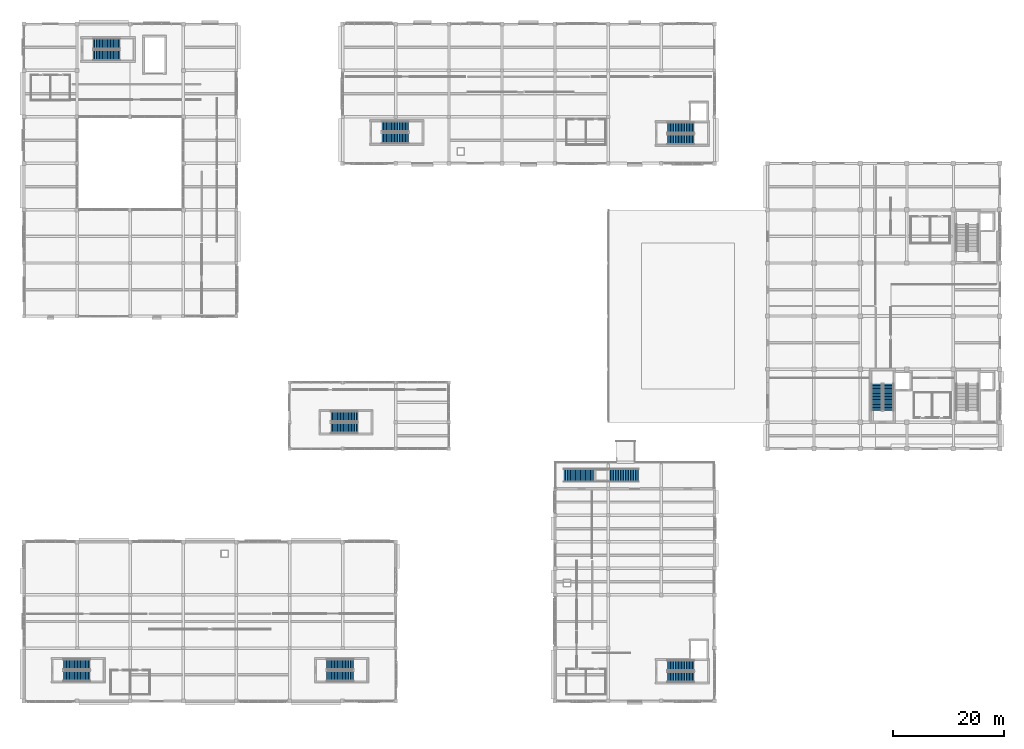
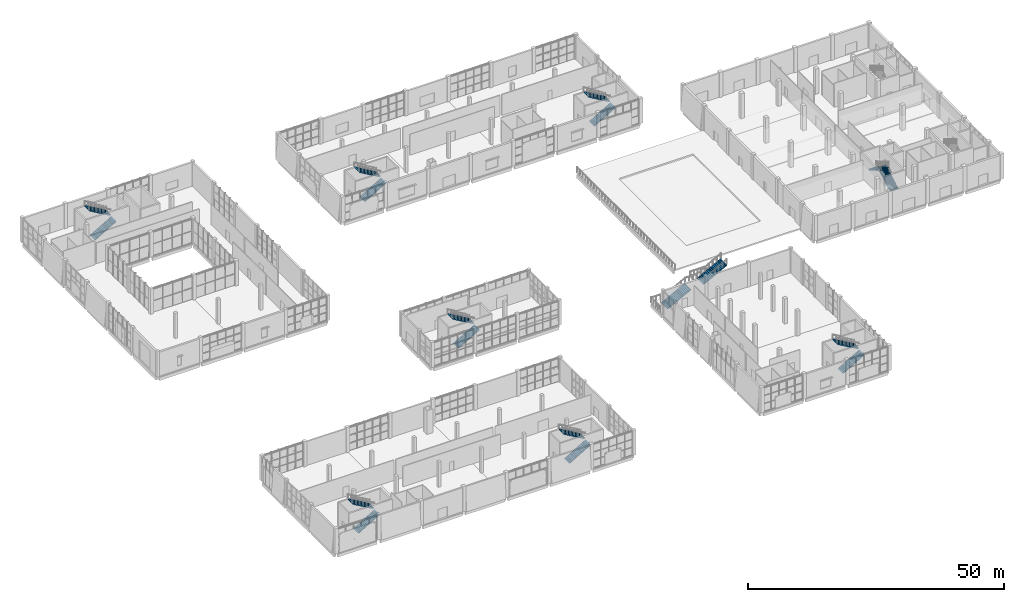
# One storey, part 62 of 84: 18 stair flights, 9 elements without a shape of their own.
"""IFC4 building model written with IfcOpenShell, lengths in metres."""

import ifcopenshell
import ifcopenshell.guid

model = None  # the IFC model being written
_history = None  # IfcOwnerHistory: only IFC2X3 demands one
_inside = {}  # id of a spatial element -> (the spatial element, [elements in it])
_under = {}  # id of a project, library or spatial element -> (it, [spatial elements below it])
_declared = {}  # id of a project -> (the project, [libraries it declares])
_typed = {}  # id of a type object -> (the type object, [elements of that type])
_made_of = {}  # id of a material, layer set ... -> (it, [elements and type objects made of it])


def new_model(schema):
    """Start an empty IFC model of exactly this schema.

    Asked for "IFC4X3", IfcOpenShell would pick the latest addendum, in which some entities
    have other attributes; the version numbers below select the first issue.
    IFC2X3 requires an IfcOwnerHistory on every rooted entity: one is made here for all.
    """
    global model, _history
    if schema == "IFC4X3":
        model = ifcopenshell.file(schema_version=(4, 3, 0, 0))
    else:
        model = ifcopenshell.file(schema=schema)
    _inside.clear()
    _under.clear()
    _declared.clear()
    _typed.clear()
    _made_of.clear()
    _history = None
    if model.schema == "IFC2X3":
        org = make("IfcOrganization", Name="unknown")
        user = make(
            "IfcPersonAndOrganization",
            ThePerson=make("IfcPerson", FamilyName="unknown"),
            TheOrganization=org,
        )
        app = make(
            "IfcApplication",
            ApplicationDeveloper=org,
            Version="unknown",
            ApplicationFullName="unknown",
            ApplicationIdentifier="unknown",
        )
        _history = make(
            "IfcOwnerHistory",
            OwningUser=user,
            OwningApplication=app,
            ChangeAction="ADDED",
            CreationDate=0,
        )
    return model


def make(cls, **values):
    """One entity of the class cls with the attributes given. An attribute that is None is left unset."""
    return model.create_entity(
        cls, **{name: value for name, value in values.items() if value is not None}
    )


def rooted(cls, **values):
    """An entity with a GlobalId (a new one), such as an element, a storey or a relation."""
    return make(cls, GlobalId=ifcopenshell.guid.new(), OwnerHistory=_history, **values)


def si_unit(unit_type, name, prefix=None):
    """IfcSIUnit, for example si_unit("LENGTHUNIT", "METRE", prefix="MILLI")."""
    return make("IfcSIUnit", UnitType=unit_type, Prefix=prefix, Name=name)


def assignment(units):
    """IfcUnitAssignment: the units of a project."""
    return None if units is None else make("IfcUnitAssignment", Units=units)


def point(xyz):
    """IfcCartesianPoint."""
    return None if xyz is None else make("IfcCartesianPoint", Coordinates=xyz)


def direction(xyz):
    """IfcDirection."""
    return None if xyz is None else make("IfcDirection", DirectionRatios=xyz)


def frame(location, z_axis=None, x_axis=None):
    """IfcAxis2Placement3D, a coordinate frame: its origin and axes. An axis left out is left unset."""
    return make(
        "IfcAxis2Placement3D",
        Location=point(location),
        Axis=direction(z_axis),
        RefDirection=direction(x_axis),
    )


def origin():
    """The frame at (0, 0, 0) with its axes left unset."""
    return frame((0.0, 0.0, 0.0))


def place(relative_to, where):
    """IfcLocalPlacement: puts the frame where relative to a parent placement (None: the world)."""
    return make(
        "IfcLocalPlacement", PlacementRelTo=relative_to, RelativePlacement=where
    )


def context(
    kind, dimensions, precision=None, world=None, true_north=None, identifier=None
):
    """IfcGeometricRepresentationContext, for example the 3D "Model" context."""
    return make(
        "IfcGeometricRepresentationContext",
        ContextIdentifier=identifier,
        ContextType=kind,
        CoordinateSpaceDimension=dimensions,
        Precision=precision,
        WorldCoordinateSystem=world,
        TrueNorth=true_north,
    )


def subcontext(parent, identifier, kind, view, scale=None):
    """IfcGeometricRepresentationSubContext, for example "Body" below "Model"."""
    return make(
        "IfcGeometricRepresentationSubContext",
        ContextIdentifier=identifier,
        ContextType=kind,
        ParentContext=parent,
        TargetScale=scale,
        TargetView=view,
    )


def project(units=None, contexts=None):
    """IfcProject with its units and contexts."""
    return rooted(
        "IfcProject",
        Name="project",
        RepresentationContexts=contexts,
        UnitsInContext=assignment(units),
    )


def spatial(cls, under=None, at=None, **own):
    """A site, building, storey or space (cls), placed at a placement, below another one or the project."""
    s = rooted(cls, ObjectPlacement=at, **own)
    if under is not None:
        _under.setdefault(under.id(), (under, []))[1].append(s)
    return s


def polyline(points):
    """IfcPolyline through the points."""
    return make("IfcPolyline", Points=[point(p) for p in points])


def outline(outer, holes=None, kind="AREA"):
    """IfcArbitraryClosedProfileDef: a profile drawn as a closed curve; with holes, ...WithVoids."""
    if holes is None:
        return make("IfcArbitraryClosedProfileDef", ProfileType=kind, OuterCurve=outer)
    return make(
        "IfcArbitraryProfileDefWithVoids",
        ProfileType=kind,
        OuterCurve=outer,
        InnerCurves=holes,
    )


def extrude(swept, where, along, depth):
    """IfcExtrudedAreaSolid: the profile swept, set in the frame where, extruded along a direction by depth."""
    return make(
        "IfcExtrudedAreaSolid",
        SweptArea=swept,
        Position=where,
        ExtrudedDirection=direction(along),
        Depth=depth,
    )


def shape(context_of_items, identifier, shape_type, items):
    """IfcShapeRepresentation: the items that make up one representation, for example the "Body"."""
    return make(
        "IfcShapeRepresentation",
        ContextOfItems=context_of_items,
        RepresentationIdentifier=identifier,
        RepresentationType=shape_type,
        Items=items,
    )


def material(Name=None, Category=None):
    """IfcMaterial."""
    return make("IfcMaterial", Name=Name, Category=Category)


def made_of(thing, what):
    """Note that an element or type object is made of a material, layer set ...; save() writes the relation."""
    if what is not None:
        _made_of.setdefault(what.id(), (what, []))[1].append(thing)
    return thing


def type_object(cls, material=None, **own):
    """A type object (cls), such as IfcWallType, which elements share."""
    return made_of(rooted(cls, **own), material)


def element(
    cls,
    number,
    at=None,
    inside=None,
    cuts=None,
    type_object=None,
    material=None,
    context=None,
    identifier="Body",
    shape_type=None,
    held_by="IfcProductDefinitionShape",
    body=None,
    shapes=None,
    **own,
):
    """One element of the class cls, such as IfcWall. Its Tag is "e" and its number.

    at: its placement. inside: the storey or other place that contains it. cuts: it is an
    opening in that element (IfcRelVoidsElement). A single representation is given by context,
    identifier, shape_type and body (its items); several are given by shapes. held_by: the class
    of the entity that holds the representations. save() writes the other relations.
    """
    e = rooted(cls, Tag="e%d" % number, ObjectPlacement=at, **own)
    if body is not None:
        shapes = [shape(context, identifier, shape_type, body)]
    if shapes is not None:
        e.Representation = make(held_by, Representations=shapes)
    if inside is not None:
        _inside.setdefault(inside.id(), (inside, []))[1].append(e)
    if cuts is not None:
        rooted(
            "IfcRelVoidsElement", RelatingBuildingElement=cuts, RelatedOpeningElement=e
        )
    if type_object is not None:
        _typed.setdefault(type_object.id(), (type_object, []))[1].append(e)
    return made_of(e, material)


def aggregate(whole, parts):
    """IfcRelAggregates: a whole, such as a stair, and the parts it consists of."""
    return rooted("IfcRelAggregates", RelatingObject=whole, RelatedObjects=parts)


def save(model, path):
    """Write the relations noted so far, then the file.

    IfcRelAggregates (storeys below a building ...), IfcRelContainedInSpatialStructure (elements
    in a storey), IfcRelDefinesByType, IfcRelAssociatesMaterial and IfcRelDeclares: one each for
    every whole, place, type object, material and project.
    """
    for whole, parts in _under.values():
        aggregate(whole, parts)
    for where, things in _inside.values():
        rooted(
            "IfcRelContainedInSpatialStructure",
            RelatedElements=things,
            RelatingStructure=where,
        )
    for kind, things in _typed.values():
        rooted("IfcRelDefinesByType", RelatedObjects=things, RelatingType=kind)
    for what, things in _made_of.values():
        rooted("IfcRelAssociatesMaterial", RelatedObjects=things, RelatingMaterial=what)
    for by, libraries in _declared.values():
        rooted("IfcRelDeclares", RelatingContext=by, RelatedDefinitions=libraries)
    model.write(path)


model = new_model("IFC4")

# Units and contexts
model_context = context("Model", 3, precision=1e-05, world=origin(), true_north=direction((0.0, 1.0)))
body_context = subcontext(model_context, "Body", "Model", "MODEL_VIEW")
ifc_project = project(units=[si_unit("LENGTHUNIT", "METRE"), si_unit("AREAUNIT", "SQUARE_METRE"), si_unit("VOLUMEUNIT", "CUBIC_METRE"), si_unit("PLANEANGLEUNIT", "RADIAN"), si_unit("MASSUNIT", "GRAM", prefix="KILO")], contexts=[model_context])

# Site, building, storey
site_placement = place(None, origin())
site = spatial("IfcSite", under=ifc_project, at=site_placement, CompositionType="ELEMENT")
building_placement = place(site_placement, origin())
building = spatial("IfcBuilding", under=site, at=building_placement, Name="Shalvenor Court Art Gallery", CompositionType="ELEMENT")
storey_placement = place(building_placement, origin())
storey = spatial("IfcBuildingStorey", under=building, at=storey_placement, Name="L00", CompositionType="ELEMENT", Elevation=0.0)

# Stair, stair flights
ifc_material_1 = material(Name="Concrete C40/50", Category="concrete")
stair_type_1 = type_object("IfcStairType", Name="ST-DL-36R-1900", PredefinedType="HALF_TURN_STAIR", material=ifc_material_1)
stair_1_placement = place(storey_placement, origin())
stair_1 = element("IfcStair", 1, at=stair_1_placement, inside=storey, type_object=stair_type_1, Name="L00 Core Dogleg Stair ST-03", PredefinedType="HALF_TURN_STAIR")
ifc_material_2 = material(Name="Concrete C40/50", Category="concrete")
stair_flight_type_1 = type_object("IfcStairFlightType", Name="FL-DL-18R-1900", PredefinedType="STRAIGHT", material=ifc_material_2)
stair_flight_1_placement = place(storey_placement, frame((156.25, 52.5, 0.0), z_axis=(0.0, 0.0, 1.0), x_axis=(0.0, 1.0, 0.0)))
stair_flight_1 = element("IfcStairFlight", 2, at=stair_flight_1_placement, type_object=stair_flight_type_1, Name="ST-DL-36R-1900 flight 1", NumberOfRisers=18, NumberOfTreads=17, PredefinedType="STRAIGHT", RiserHeight=0.166666667, TreadLength=0.285, context=body_context, shape_type="SweptSolid", body=[
    extrude(outline(polyline([(0.0, 0.0), (0.0, 0.166748046875), (0.284912109375, 0.166748046875), (0.284912109375, 0.333251953125), (0.570068359375, 0.333251953125), (0.570068359375, 0.5), (0.85498046875, 0.5), (0.85498046875, 0.666748046875), (1.139892578125, 0.666748046875), (1.139892578125, 0.833251953125), (1.425048828125, 0.833251953125), (1.425048828125, 1.0), (1.7099609375, 1.0), (1.7099609375, 1.166748046875), (1.9951171875, 1.166748046875), (1.9951171875, 1.333251953125), (2.280029296875, 1.333251953125), (2.280029296875, 1.5), (2.56494140625, 1.5), (2.56494140625, 1.666748046875), (2.85009765625, 1.666748046875), (2.85009765625, 1.833251953125), (3.135009765625, 1.833251953125), (3.135009765625, 2.0), (3.419921875, 2.0), (3.419921875, 2.166748046875), (3.705078125, 2.166748046875), (3.705078125, 2.333251953125), (3.989990234375, 2.333251953125), (3.989990234375, 2.5), (4.27490234375, 2.5), (4.27490234375, 2.666748046875), (4.56005859375, 2.666748046875), (4.56005859375, 2.833251953125), (4.844970703125, 2.833251953125), (4.844970703125, 3.0), (4.844970703125, 2.625), (0.3564453125, 0.0), (0.0, 0.0)])), frame((0.0, 0.949951171875, 0.0), z_axis=(0.0, -1.0, 0.0), x_axis=(1.0, 0.0, 0.0)), (0.0, 0.0, 1.0), 1.89990234375),
])
stair_flight_2_placement = place(storey_placement, frame((154.14990234375, 57.344970703125, 3.0), z_axis=(0.0, 0.0, 1.0), x_axis=(0.0, -1.0, 0.0)))
stair_flight_2 = element("IfcStairFlight", 3, at=stair_flight_2_placement, type_object=stair_flight_type_1, Name="ST-DL-36R-1900 flight 2", NumberOfRisers=18, NumberOfTreads=17, PredefinedType="STRAIGHT", RiserHeight=0.166666667, TreadLength=0.285, context=body_context, shape_type="SweptSolid", body=[
    extrude(outline(polyline([(0.0, 0.0), (0.0, 0.166748046875), (0.284912109375, 0.166748046875), (0.284912109375, 0.333251953125), (0.570068359375, 0.333251953125), (0.570068359375, 0.5), (0.85498046875, 0.5), (0.85498046875, 0.666748046875), (1.139892578125, 0.666748046875), (1.139892578125, 0.833251953125), (1.425048828125, 0.833251953125), (1.425048828125, 1.0), (1.7099609375, 1.0), (1.7099609375, 1.166748046875), (1.9951171875, 1.166748046875), (1.9951171875, 1.333251953125), (2.280029296875, 1.333251953125), (2.280029296875, 1.5), (2.56494140625, 1.5), (2.56494140625, 1.666748046875), (2.85009765625, 1.666748046875), (2.85009765625, 1.833251953125), (3.135009765625, 1.833251953125), (3.135009765625, 2.0), (3.419921875, 2.0), (3.419921875, 2.166748046875), (3.705078125, 2.166748046875), (3.705078125, 2.333251953125), (3.989990234375, 2.333251953125), (3.989990234375, 2.5), (4.27490234375, 2.5), (4.27490234375, 2.666748046875), (4.56005859375, 2.666748046875), (4.56005859375, 2.833251953125), (4.844970703125, 2.833251953125), (4.844970703125, 3.0), (4.844970703125, 2.625), (0.3564453125, 0.0), (0.0, 0.0)])), frame((0.0, 0.949951171875, 0.0), z_axis=(0.0, -1.0, 0.0), x_axis=(1.0, 0.0, 0.0)), (0.0, 0.0, 1.0), 1.89990234375),
])
aggregate(stair_1, [stair_flight_1, stair_flight_2])

stair_2_placement = place(storey_placement, origin())
stair_2 = element("IfcStair", 4, at=stair_2_placement, inside=storey, type_object=stair_type_1, Name="L00 Core Dogleg Stair ST-04", PredefinedType="HALF_TURN_STAIR")
stair_flight_3_placement = place(storey_placement, frame((116.300048828125, 4.35009765625, 0.0), z_axis=(0.0, 0.0, 1.0), x_axis=(1.0, 0.0, 0.0)))
stair_flight_3 = element("IfcStairFlight", 5, at=stair_flight_3_placement, type_object=stair_flight_type_1, Name="ST-DL-36R-1900 flight 1", NumberOfRisers=18, NumberOfTreads=17, PredefinedType="STRAIGHT", RiserHeight=0.166666667, TreadLength=0.285, context=body_context, shape_type="SweptSolid", body=[
    extrude(outline(polyline([(0.0, 0.0), (0.0, 0.166748046875), (0.284912109375, 0.166748046875), (0.284912109375, 0.333251953125), (0.570068359375, 0.333251953125), (0.570068359375, 0.5), (0.85498046875, 0.5), (0.85498046875, 0.666748046875), (1.139892578125, 0.666748046875), (1.139892578125, 0.833251953125), (1.425048828125, 0.833251953125), (1.425048828125, 1.0), (1.7099609375, 1.0), (1.7099609375, 1.166748046875), (1.9951171875, 1.166748046875), (1.9951171875, 1.333251953125), (2.280029296875, 1.333251953125), (2.280029296875, 1.5), (2.56494140625, 1.5), (2.56494140625, 1.666748046875), (2.85009765625, 1.666748046875), (2.85009765625, 1.833251953125), (3.135009765625, 1.833251953125), (3.135009765625, 2.0), (3.419921875, 2.0), (3.419921875, 2.166748046875), (3.705078125, 2.166748046875), (3.705078125, 2.333251953125), (3.989990234375, 2.333251953125), (3.989990234375, 2.5), (4.27490234375, 2.5), (4.27490234375, 2.666748046875), (4.56005859375, 2.666748046875), (4.56005859375, 2.833251953125), (4.844970703125, 2.833251953125), (4.844970703125, 3.0), (4.844970703125, 2.625), (0.3564453125, 0.0), (0.0, 0.0)])), frame((0.0, 0.949951171875, 0.0), z_axis=(0.0, -1.0, 0.0), x_axis=(1.0, 0.0, 0.0)), (0.0, 0.0, 1.0), 1.89990234375),
])
stair_flight_4_placement = place(storey_placement, frame((121.14501953125, 6.449951171875, 3.0), z_axis=(0.0, 0.0, 1.0), x_axis=(-1.0, 0.0, 0.0)))
stair_flight_4 = element("IfcStairFlight", 6, at=stair_flight_4_placement, type_object=stair_flight_type_1, Name="ST-DL-36R-1900 flight 2", NumberOfRisers=18, NumberOfTreads=17, PredefinedType="STRAIGHT", RiserHeight=0.166666667, TreadLength=0.285, context=body_context, shape_type="SweptSolid", body=[
    extrude(outline(polyline([(0.0, 0.0), (0.0, 0.166748046875), (0.284912109375, 0.166748046875), (0.284912109375, 0.333251953125), (0.570068359375, 0.333251953125), (0.570068359375, 0.5), (0.85498046875, 0.5), (0.85498046875, 0.666748046875), (1.139892578125, 0.666748046875), (1.139892578125, 0.833251953125), (1.425048828125, 0.833251953125), (1.425048828125, 1.0), (1.7099609375, 1.0), (1.7099609375, 1.166748046875), (1.9951171875, 1.166748046875), (1.9951171875, 1.333251953125), (2.280029296875, 1.333251953125), (2.280029296875, 1.5), (2.56494140625, 1.5), (2.56494140625, 1.666748046875), (2.85009765625, 1.666748046875), (2.85009765625, 1.833251953125), (3.135009765625, 1.833251953125), (3.135009765625, 2.0), (3.419921875, 2.0), (3.419921875, 2.166748046875), (3.705078125, 2.166748046875), (3.705078125, 2.333251953125), (3.989990234375, 2.333251953125), (3.989990234375, 2.5), (4.27490234375, 2.5), (4.27490234375, 2.666748046875), (4.56005859375, 2.666748046875), (4.56005859375, 2.833251953125), (4.844970703125, 2.833251953125), (4.844970703125, 3.0), (4.844970703125, 2.625), (0.3564453125, 0.0), (0.0, 0.0)])), frame((0.0, 0.949951171875, 0.0), z_axis=(0.0, -1.0, 0.0), x_axis=(1.0, 0.0, 0.0)), (0.0, 0.0, 1.0), 1.89990234375),
])
aggregate(stair_2, [stair_flight_3, stair_flight_4])

stair_3_placement = place(storey_placement, origin())
stair_3 = element("IfcStair", 7, at=stair_3_placement, inside=storey, type_object=stair_type_1, Name="L00 Core Dogleg Stair ST-05", PredefinedType="HALF_TURN_STAIR")
stair_flight_5_placement = place(storey_placement, frame((116.300048828125, 101.550048828125, 0.0), z_axis=(0.0, 0.0, 1.0), x_axis=(1.0, 0.0, 0.0)))
stair_flight_5 = element("IfcStairFlight", 8, at=stair_flight_5_placement, type_object=stair_flight_type_1, Name="ST-DL-36R-1900 flight 1", NumberOfRisers=18, NumberOfTreads=17, PredefinedType="STRAIGHT", RiserHeight=0.166666667, TreadLength=0.285, context=body_context, shape_type="SweptSolid", body=[
    extrude(outline(polyline([(0.0, 0.0), (0.0, 0.166748046875), (0.284912109375, 0.166748046875), (0.284912109375, 0.333251953125), (0.570068359375, 0.333251953125), (0.570068359375, 0.5), (0.85498046875, 0.5), (0.85498046875, 0.666748046875), (1.139892578125, 0.666748046875), (1.139892578125, 0.833251953125), (1.425048828125, 0.833251953125), (1.425048828125, 1.0), (1.7099609375, 1.0), (1.7099609375, 1.166748046875), (1.9951171875, 1.166748046875), (1.9951171875, 1.333251953125), (2.280029296875, 1.333251953125), (2.280029296875, 1.5), (2.56494140625, 1.5), (2.56494140625, 1.666748046875), (2.85009765625, 1.666748046875), (2.85009765625, 1.833251953125), (3.135009765625, 1.833251953125), (3.135009765625, 2.0), (3.419921875, 2.0), (3.419921875, 2.166748046875), (3.705078125, 2.166748046875), (3.705078125, 2.333251953125), (3.989990234375, 2.333251953125), (3.989990234375, 2.5), (4.27490234375, 2.5), (4.27490234375, 2.666748046875), (4.56005859375, 2.666748046875), (4.56005859375, 2.833251953125), (4.844970703125, 2.833251953125), (4.844970703125, 3.0), (4.844970703125, 2.625), (0.3564453125, 0.0), (0.0, 0.0)])), frame((0.0, 0.949951171875, 0.0), z_axis=(0.0, -1.0, 0.0), x_axis=(1.0, 0.0, 0.0)), (0.0, 0.0, 1.0), 1.89990234375),
])
stair_flight_6_placement = place(storey_placement, frame((121.14501953125, 103.64990234375, 3.0), z_axis=(0.0, 0.0, 1.0), x_axis=(-1.0, 0.0, 0.0)))
stair_flight_6 = element("IfcStairFlight", 9, at=stair_flight_6_placement, type_object=stair_flight_type_1, Name="ST-DL-36R-1900 flight 2", NumberOfRisers=18, NumberOfTreads=17, PredefinedType="STRAIGHT", RiserHeight=0.166666667, TreadLength=0.285, context=body_context, shape_type="SweptSolid", body=[
    extrude(outline(polyline([(0.0, 0.0), (0.0, 0.166748046875), (0.284912109375, 0.166748046875), (0.284912109375, 0.333251953125), (0.570068359375, 0.333251953125), (0.570068359375, 0.5), (0.85498046875, 0.5), (0.85498046875, 0.666748046875), (1.139892578125, 0.666748046875), (1.139892578125, 0.833251953125), (1.425048828125, 0.833251953125), (1.425048828125, 1.0), (1.7099609375, 1.0), (1.7099609375, 1.166748046875), (1.9951171875, 1.166748046875), (1.9951171875, 1.333251953125), (2.280029296875, 1.333251953125), (2.280029296875, 1.5), (2.56494140625, 1.5), (2.56494140625, 1.666748046875), (2.85009765625, 1.666748046875), (2.85009765625, 1.833251953125), (3.135009765625, 1.833251953125), (3.135009765625, 2.0), (3.419921875, 2.0), (3.419921875, 2.166748046875), (3.705078125, 2.166748046875), (3.705078125, 2.333251953125), (3.989990234375, 2.333251953125), (3.989990234375, 2.5), (4.27490234375, 2.5), (4.27490234375, 2.666748046875), (4.56005859375, 2.666748046875), (4.56005859375, 2.833251953125), (4.844970703125, 2.833251953125), (4.844970703125, 3.0), (4.844970703125, 2.625), (0.3564453125, 0.0), (0.0, 0.0)])), frame((0.0, 0.949951171875, 0.0), z_axis=(0.0, -1.0, 0.0), x_axis=(1.0, 0.0, 0.0)), (0.0, 0.0, 1.0), 1.89990234375),
])
aggregate(stair_3, [stair_flight_5, stair_flight_6])

stair_4_placement = place(storey_placement, origin())
stair_4 = element("IfcStair", 10, at=stair_4_placement, inside=storey, type_object=stair_type_1, Name="L00 Core Dogleg Stair ST-06", PredefinedType="HALF_TURN_STAIR")
stair_flight_7_placement = place(storey_placement, frame((12.5, 116.75, 0.0), z_axis=(0.0, 0.0, 1.0), x_axis=(1.0, 0.0, 0.0)))
stair_flight_7 = element("IfcStairFlight", 11, at=stair_flight_7_placement, type_object=stair_flight_type_1, Name="ST-DL-36R-1900 flight 1", NumberOfRisers=18, NumberOfTreads=17, PredefinedType="STRAIGHT", RiserHeight=0.166666667, TreadLength=0.285, context=body_context, shape_type="SweptSolid", body=[
    extrude(outline(polyline([(0.0, 0.0), (0.0, 0.166748046875), (0.284912109375, 0.166748046875), (0.284912109375, 0.333251953125), (0.570068359375, 0.333251953125), (0.570068359375, 0.5), (0.85498046875, 0.5), (0.85498046875, 0.666748046875), (1.139892578125, 0.666748046875), (1.139892578125, 0.833251953125), (1.425048828125, 0.833251953125), (1.425048828125, 1.0), (1.7099609375, 1.0), (1.7099609375, 1.166748046875), (1.9951171875, 1.166748046875), (1.9951171875, 1.333251953125), (2.280029296875, 1.333251953125), (2.280029296875, 1.5), (2.56494140625, 1.5), (2.56494140625, 1.666748046875), (2.85009765625, 1.666748046875), (2.85009765625, 1.833251953125), (3.135009765625, 1.833251953125), (3.135009765625, 2.0), (3.419921875, 2.0), (3.419921875, 2.166748046875), (3.705078125, 2.166748046875), (3.705078125, 2.333251953125), (3.989990234375, 2.333251953125), (3.989990234375, 2.5), (4.27490234375, 2.5), (4.27490234375, 2.666748046875), (4.56005859375, 2.666748046875), (4.56005859375, 2.833251953125), (4.844970703125, 2.833251953125), (4.844970703125, 3.0), (4.844970703125, 2.625), (0.3564453125, 0.0), (0.0, 0.0)])), frame((0.0, 0.949951171875, 0.0), z_axis=(0.0, -1.0, 0.0), x_axis=(1.0, 0.0, 0.0)), (0.0, 0.0, 1.0), 1.89990234375),
])
stair_flight_8_placement = place(storey_placement, frame((17.344970703125, 118.85009765625, 3.0), z_axis=(0.0, 0.0, 1.0), x_axis=(-1.0, 0.0, 0.0)))
stair_flight_8 = element("IfcStairFlight", 12, at=stair_flight_8_placement, type_object=stair_flight_type_1, Name="ST-DL-36R-1900 flight 2", NumberOfRisers=18, NumberOfTreads=17, PredefinedType="STRAIGHT", RiserHeight=0.166666667, TreadLength=0.285, context=body_context, shape_type="SweptSolid", body=[
    extrude(outline(polyline([(0.0, 0.0), (0.0, 0.166748046875), (0.284912109375, 0.166748046875), (0.284912109375, 0.333251953125), (0.570068359375, 0.333251953125), (0.570068359375, 0.5), (0.85498046875, 0.5), (0.85498046875, 0.666748046875), (1.139892578125, 0.666748046875), (1.139892578125, 0.833251953125), (1.425048828125, 0.833251953125), (1.425048828125, 1.0), (1.7099609375, 1.0), (1.7099609375, 1.166748046875), (1.9951171875, 1.166748046875), (1.9951171875, 1.333251953125), (2.280029296875, 1.333251953125), (2.280029296875, 1.5), (2.56494140625, 1.5), (2.56494140625, 1.666748046875), (2.85009765625, 1.666748046875), (2.85009765625, 1.833251953125), (3.135009765625, 1.833251953125), (3.135009765625, 2.0), (3.419921875, 2.0), (3.419921875, 2.166748046875), (3.705078125, 2.166748046875), (3.705078125, 2.333251953125), (3.989990234375, 2.333251953125), (3.989990234375, 2.5), (4.27490234375, 2.5), (4.27490234375, 2.666748046875), (4.56005859375, 2.666748046875), (4.56005859375, 2.833251953125), (4.844970703125, 2.833251953125), (4.844970703125, 3.0), (4.844970703125, 2.625), (0.3564453125, 0.0), (0.0, 0.0)])), frame((0.0, 0.949951171875, 0.0), z_axis=(0.0, -1.0, 0.0), x_axis=(1.0, 0.0, 0.0)), (0.0, 0.0, 1.0), 1.89990234375),
])
aggregate(stair_4, [stair_flight_7, stair_flight_8])

stair_5_placement = place(storey_placement, origin())
stair_5 = element("IfcStair", 13, at=stair_5_placement, inside=storey, type_object=stair_type_1, Name="L00 Core Dogleg Stair ST-07", PredefinedType="HALF_TURN_STAIR")
stair_flight_9_placement = place(storey_placement, frame((7.10009765625, 4.550048828125, 0.0), z_axis=(0.0, 0.0, 1.0), x_axis=(1.0, 0.0, 0.0)))
stair_flight_9 = element("IfcStairFlight", 14, at=stair_flight_9_placement, type_object=stair_flight_type_1, Name="ST-DL-36R-1900 flight 1", NumberOfRisers=18, NumberOfTreads=17, PredefinedType="STRAIGHT", RiserHeight=0.166666667, TreadLength=0.285, context=body_context, shape_type="SweptSolid", body=[
    extrude(outline(polyline([(0.0, 0.0), (0.0, 0.166748046875), (0.284912109375, 0.166748046875), (0.284912109375, 0.333251953125), (0.570068359375, 0.333251953125), (0.570068359375, 0.5), (0.85498046875, 0.5), (0.85498046875, 0.666748046875), (1.139892578125, 0.666748046875), (1.139892578125, 0.833251953125), (1.425048828125, 0.833251953125), (1.425048828125, 1.0), (1.7099609375, 1.0), (1.7099609375, 1.166748046875), (1.9951171875, 1.166748046875), (1.9951171875, 1.333251953125), (2.280029296875, 1.333251953125), (2.280029296875, 1.5), (2.56494140625, 1.5), (2.56494140625, 1.666748046875), (2.85009765625, 1.666748046875), (2.85009765625, 1.833251953125), (3.135009765625, 1.833251953125), (3.135009765625, 2.0), (3.419921875, 2.0), (3.419921875, 2.166748046875), (3.705078125, 2.166748046875), (3.705078125, 2.333251953125), (3.989990234375, 2.333251953125), (3.989990234375, 2.5), (4.27490234375, 2.5), (4.27490234375, 2.666748046875), (4.56005859375, 2.666748046875), (4.56005859375, 2.833251953125), (4.844970703125, 2.833251953125), (4.844970703125, 3.0), (4.844970703125, 2.625), (0.3564453125, 0.0), (0.0, 0.0)])), frame((0.0, 0.949951171875, 0.0), z_axis=(0.0, -1.0, 0.0), x_axis=(1.0, 0.0, 0.0)), (0.0, 0.0, 1.0), 1.89990234375),
])
stair_flight_10_placement = place(storey_placement, frame((11.945068359375, 6.64990234375, 3.0), z_axis=(0.0, 0.0, 1.0), x_axis=(-1.0, 0.0, 0.0)))
stair_flight_10 = element("IfcStairFlight", 15, at=stair_flight_10_placement, type_object=stair_flight_type_1, Name="ST-DL-36R-1900 flight 2", NumberOfRisers=18, NumberOfTreads=17, PredefinedType="STRAIGHT", RiserHeight=0.166666667, TreadLength=0.285, context=body_context, shape_type="SweptSolid", body=[
    extrude(outline(polyline([(0.0, 0.0), (0.0, 0.166748046875), (0.284912109375, 0.166748046875), (0.284912109375, 0.333251953125), (0.570068359375, 0.333251953125), (0.570068359375, 0.5), (0.85498046875, 0.5), (0.85498046875, 0.666748046875), (1.139892578125, 0.666748046875), (1.139892578125, 0.833251953125), (1.425048828125, 0.833251953125), (1.425048828125, 1.0), (1.7099609375, 1.0), (1.7099609375, 1.166748046875), (1.9951171875, 1.166748046875), (1.9951171875, 1.333251953125), (2.280029296875, 1.333251953125), (2.280029296875, 1.5), (2.56494140625, 1.5), (2.56494140625, 1.666748046875), (2.85009765625, 1.666748046875), (2.85009765625, 1.833251953125), (3.135009765625, 1.833251953125), (3.135009765625, 2.0), (3.419921875, 2.0), (3.419921875, 2.166748046875), (3.705078125, 2.166748046875), (3.705078125, 2.333251953125), (3.989990234375, 2.333251953125), (3.989990234375, 2.5), (4.27490234375, 2.5), (4.27490234375, 2.666748046875), (4.56005859375, 2.666748046875), (4.56005859375, 2.833251953125), (4.844970703125, 2.833251953125), (4.844970703125, 3.0), (4.844970703125, 2.625), (0.3564453125, 0.0), (0.0, 0.0)])), frame((0.0, 0.949951171875, 0.0), z_axis=(0.0, -1.0, 0.0), x_axis=(1.0, 0.0, 0.0)), (0.0, 0.0, 1.0), 1.89990234375),
])
aggregate(stair_5, [stair_flight_9, stair_flight_10])

stair_6_placement = place(storey_placement, origin())
stair_6 = element("IfcStair", 16, at=stair_6_placement, inside=storey, type_object=stair_type_1, Name="L00 Core Dogleg Stair ST-08", PredefinedType="HALF_TURN_STAIR")
stair_flight_11_placement = place(storey_placement, frame((54.699951171875, 4.550048828125, 0.0), z_axis=(0.0, 0.0, 1.0), x_axis=(1.0, 0.0, 0.0)))
stair_flight_11 = element("IfcStairFlight", 17, at=stair_flight_11_placement, type_object=stair_flight_type_1, Name="ST-DL-36R-1900 flight 1", NumberOfRisers=18, NumberOfTreads=17, PredefinedType="STRAIGHT", RiserHeight=0.166666667, TreadLength=0.285, context=body_context, shape_type="SweptSolid", body=[
    extrude(outline(polyline([(0.0, 0.0), (0.0, 0.166748046875), (0.284912109375, 0.166748046875), (0.284912109375, 0.333251953125), (0.570068359375, 0.333251953125), (0.570068359375, 0.5), (0.85498046875, 0.5), (0.85498046875, 0.666748046875), (1.139892578125, 0.666748046875), (1.139892578125, 0.833251953125), (1.425048828125, 0.833251953125), (1.425048828125, 1.0), (1.7099609375, 1.0), (1.7099609375, 1.166748046875), (1.9951171875, 1.166748046875), (1.9951171875, 1.333251953125), (2.280029296875, 1.333251953125), (2.280029296875, 1.5), (2.56494140625, 1.5), (2.56494140625, 1.666748046875), (2.85009765625, 1.666748046875), (2.85009765625, 1.833251953125), (3.135009765625, 1.833251953125), (3.135009765625, 2.0), (3.419921875, 2.0), (3.419921875, 2.166748046875), (3.705078125, 2.166748046875), (3.705078125, 2.333251953125), (3.989990234375, 2.333251953125), (3.989990234375, 2.5), (4.27490234375, 2.5), (4.27490234375, 2.666748046875), (4.56005859375, 2.666748046875), (4.56005859375, 2.833251953125), (4.844970703125, 2.833251953125), (4.844970703125, 3.0), (4.844970703125, 2.625), (0.3564453125, 0.0), (0.0, 0.0)])), frame((0.0, 0.949951171875, 0.0), z_axis=(0.0, -1.0, 0.0), x_axis=(1.0, 0.0, 0.0)), (0.0, 0.0, 1.0), 1.89990234375),
])
stair_flight_12_placement = place(storey_placement, frame((59.544921875, 6.64990234375, 3.0), z_axis=(0.0, 0.0, 1.0), x_axis=(-1.0, 0.0, 0.0)))
stair_flight_12 = element("IfcStairFlight", 18, at=stair_flight_12_placement, type_object=stair_flight_type_1, Name="ST-DL-36R-1900 flight 2", NumberOfRisers=18, NumberOfTreads=17, PredefinedType="STRAIGHT", RiserHeight=0.166666667, TreadLength=0.285, context=body_context, shape_type="SweptSolid", body=[
    extrude(outline(polyline([(0.0, 0.0), (0.0, 0.166748046875), (0.284912109375, 0.166748046875), (0.284912109375, 0.333251953125), (0.570068359375, 0.333251953125), (0.570068359375, 0.5), (0.85498046875, 0.5), (0.85498046875, 0.666748046875), (1.139892578125, 0.666748046875), (1.139892578125, 0.833251953125), (1.425048828125, 0.833251953125), (1.425048828125, 1.0), (1.7099609375, 1.0), (1.7099609375, 1.166748046875), (1.9951171875, 1.166748046875), (1.9951171875, 1.333251953125), (2.280029296875, 1.333251953125), (2.280029296875, 1.5), (2.56494140625, 1.5), (2.56494140625, 1.666748046875), (2.85009765625, 1.666748046875), (2.85009765625, 1.833251953125), (3.135009765625, 1.833251953125), (3.135009765625, 2.0), (3.419921875, 2.0), (3.419921875, 2.166748046875), (3.705078125, 2.166748046875), (3.705078125, 2.333251953125), (3.989990234375, 2.333251953125), (3.989990234375, 2.5), (4.27490234375, 2.5), (4.27490234375, 2.666748046875), (4.56005859375, 2.666748046875), (4.56005859375, 2.833251953125), (4.844970703125, 2.833251953125), (4.844970703125, 3.0), (4.844970703125, 2.625), (0.3564453125, 0.0), (0.0, 0.0)])), frame((0.0, 0.949951171875, 0.0), z_axis=(0.0, -1.0, 0.0), x_axis=(1.0, 0.0, 0.0)), (0.0, 0.0, 1.0), 1.89990234375),
])
aggregate(stair_6, [stair_flight_11, stair_flight_12])

stair_7_placement = place(storey_placement, origin())
stair_7 = element("IfcStair", 19, at=stair_7_placement, inside=storey, type_object=stair_type_1, Name="L00 Core Dogleg Stair ST-09", PredefinedType="HALF_TURN_STAIR")
stair_flight_13_placement = place(storey_placement, frame((64.699951171875, 101.75, 0.0), z_axis=(0.0, 0.0, 1.0), x_axis=(1.0, 0.0, 0.0)))
stair_flight_13 = element("IfcStairFlight", 20, at=stair_flight_13_placement, type_object=stair_flight_type_1, Name="ST-DL-36R-1900 flight 1", NumberOfRisers=18, NumberOfTreads=17, PredefinedType="STRAIGHT", RiserHeight=0.166666667, TreadLength=0.285, context=body_context, shape_type="SweptSolid", body=[
    extrude(outline(polyline([(0.0, 0.0), (0.0, 0.166748046875), (0.284912109375, 0.166748046875), (0.284912109375, 0.333251953125), (0.570068359375, 0.333251953125), (0.570068359375, 0.5), (0.85498046875, 0.5), (0.85498046875, 0.666748046875), (1.139892578125, 0.666748046875), (1.139892578125, 0.833251953125), (1.425048828125, 0.833251953125), (1.425048828125, 1.0), (1.7099609375, 1.0), (1.7099609375, 1.166748046875), (1.9951171875, 1.166748046875), (1.9951171875, 1.333251953125), (2.280029296875, 1.333251953125), (2.280029296875, 1.5), (2.56494140625, 1.5), (2.56494140625, 1.666748046875), (2.85009765625, 1.666748046875), (2.85009765625, 1.833251953125), (3.135009765625, 1.833251953125), (3.135009765625, 2.0), (3.419921875, 2.0), (3.419921875, 2.166748046875), (3.705078125, 2.166748046875), (3.705078125, 2.333251953125), (3.989990234375, 2.333251953125), (3.989990234375, 2.5), (4.27490234375, 2.5), (4.27490234375, 2.666748046875), (4.56005859375, 2.666748046875), (4.56005859375, 2.833251953125), (4.844970703125, 2.833251953125), (4.844970703125, 3.0), (4.844970703125, 2.625), (0.3564453125, 0.0), (0.0, 0.0)])), frame((0.0, 0.949951171875, 0.0), z_axis=(0.0, -1.0, 0.0), x_axis=(1.0, 0.0, 0.0)), (0.0, 0.0, 1.0), 1.89990234375),
])
stair_flight_14_placement = place(storey_placement, frame((69.544921875, 103.85009765625, 3.0), z_axis=(0.0, 0.0, 1.0), x_axis=(-1.0, 0.0, 0.0)))
stair_flight_14 = element("IfcStairFlight", 21, at=stair_flight_14_placement, type_object=stair_flight_type_1, Name="ST-DL-36R-1900 flight 2", NumberOfRisers=18, NumberOfTreads=17, PredefinedType="STRAIGHT", RiserHeight=0.166666667, TreadLength=0.285, context=body_context, shape_type="SweptSolid", body=[
    extrude(outline(polyline([(0.0, 0.0), (0.0, 0.166748046875), (0.284912109375, 0.166748046875), (0.284912109375, 0.333251953125), (0.570068359375, 0.333251953125), (0.570068359375, 0.5), (0.85498046875, 0.5), (0.85498046875, 0.666748046875), (1.139892578125, 0.666748046875), (1.139892578125, 0.833251953125), (1.425048828125, 0.833251953125), (1.425048828125, 1.0), (1.7099609375, 1.0), (1.7099609375, 1.166748046875), (1.9951171875, 1.166748046875), (1.9951171875, 1.333251953125), (2.280029296875, 1.333251953125), (2.280029296875, 1.5), (2.56494140625, 1.5), (2.56494140625, 1.666748046875), (2.85009765625, 1.666748046875), (2.85009765625, 1.833251953125), (3.135009765625, 1.833251953125), (3.135009765625, 2.0), (3.419921875, 2.0), (3.419921875, 2.166748046875), (3.705078125, 2.166748046875), (3.705078125, 2.333251953125), (3.989990234375, 2.333251953125), (3.989990234375, 2.5), (4.27490234375, 2.5), (4.27490234375, 2.666748046875), (4.56005859375, 2.666748046875), (4.56005859375, 2.833251953125), (4.844970703125, 2.833251953125), (4.844970703125, 3.0), (4.844970703125, 2.625), (0.3564453125, 0.0), (0.0, 0.0)])), frame((0.0, 0.949951171875, 0.0), z_axis=(0.0, -1.0, 0.0), x_axis=(1.0, 0.0, 0.0)), (0.0, 0.0, 1.0), 1.89990234375),
])
aggregate(stair_7, [stair_flight_13, stair_flight_14])

stair_8_placement = place(storey_placement, origin())
stair_8 = element("IfcStair", 22, at=stair_8_placement, inside=storey, type_object=stair_type_1, Name="L00 Core Dogleg Stair ST-10", PredefinedType="HALF_TURN_STAIR")
stair_flight_15_placement = place(storey_placement, frame((55.5, 49.35009765625, 0.0), z_axis=(0.0, 0.0, 1.0), x_axis=(1.0, 0.0, 0.0)))
stair_flight_15 = element("IfcStairFlight", 23, at=stair_flight_15_placement, type_object=stair_flight_type_1, Name="ST-DL-36R-1900 flight 1", NumberOfRisers=18, NumberOfTreads=17, PredefinedType="STRAIGHT", RiserHeight=0.166666667, TreadLength=0.285, context=body_context, shape_type="SweptSolid", body=[
    extrude(outline(polyline([(0.0, 0.0), (0.0, 0.166748046875), (0.284912109375, 0.166748046875), (0.284912109375, 0.333251953125), (0.570068359375, 0.333251953125), (0.570068359375, 0.5), (0.85498046875, 0.5), (0.85498046875, 0.666748046875), (1.139892578125, 0.666748046875), (1.139892578125, 0.833251953125), (1.425048828125, 0.833251953125), (1.425048828125, 1.0), (1.7099609375, 1.0), (1.7099609375, 1.166748046875), (1.9951171875, 1.166748046875), (1.9951171875, 1.333251953125), (2.280029296875, 1.333251953125), (2.280029296875, 1.5), (2.56494140625, 1.5), (2.56494140625, 1.666748046875), (2.85009765625, 1.666748046875), (2.85009765625, 1.833251953125), (3.135009765625, 1.833251953125), (3.135009765625, 2.0), (3.419921875, 2.0), (3.419921875, 2.166748046875), (3.705078125, 2.166748046875), (3.705078125, 2.333251953125), (3.989990234375, 2.333251953125), (3.989990234375, 2.5), (4.27490234375, 2.5), (4.27490234375, 2.666748046875), (4.56005859375, 2.666748046875), (4.56005859375, 2.833251953125), (4.844970703125, 2.833251953125), (4.844970703125, 3.0), (4.844970703125, 2.625), (0.3564453125, 0.0), (0.0, 0.0)])), frame((0.0, 0.949951171875, 0.0), z_axis=(0.0, -1.0, 0.0), x_axis=(1.0, 0.0, 0.0)), (0.0, 0.0, 1.0), 1.89990234375),
])
stair_flight_16_placement = place(storey_placement, frame((60.344970703125, 51.449951171875, 3.0), z_axis=(0.0, 0.0, 1.0), x_axis=(-1.0, 0.0, 0.0)))
stair_flight_16 = element("IfcStairFlight", 24, at=stair_flight_16_placement, type_object=stair_flight_type_1, Name="ST-DL-36R-1900 flight 2", NumberOfRisers=18, NumberOfTreads=17, PredefinedType="STRAIGHT", RiserHeight=0.166666667, TreadLength=0.285, context=body_context, shape_type="SweptSolid", body=[
    extrude(outline(polyline([(0.0, 0.0), (0.0, 0.166748046875), (0.284912109375, 0.166748046875), (0.284912109375, 0.333251953125), (0.570068359375, 0.333251953125), (0.570068359375, 0.5), (0.85498046875, 0.5), (0.85498046875, 0.666748046875), (1.139892578125, 0.666748046875), (1.139892578125, 0.833251953125), (1.425048828125, 0.833251953125), (1.425048828125, 1.0), (1.7099609375, 1.0), (1.7099609375, 1.166748046875), (1.9951171875, 1.166748046875), (1.9951171875, 1.333251953125), (2.280029296875, 1.333251953125), (2.280029296875, 1.5), (2.56494140625, 1.5), (2.56494140625, 1.666748046875), (2.85009765625, 1.666748046875), (2.85009765625, 1.833251953125), (3.135009765625, 1.833251953125), (3.135009765625, 2.0), (3.419921875, 2.0), (3.419921875, 2.166748046875), (3.705078125, 2.166748046875), (3.705078125, 2.333251953125), (3.989990234375, 2.333251953125), (3.989990234375, 2.5), (4.27490234375, 2.5), (4.27490234375, 2.666748046875), (4.56005859375, 2.666748046875), (4.56005859375, 2.833251953125), (4.844970703125, 2.833251953125), (4.844970703125, 3.0), (4.844970703125, 2.625), (0.3564453125, 0.0), (0.0, 0.0)])), frame((0.0, 0.949951171875, 0.0), z_axis=(0.0, -1.0, 0.0), x_axis=(1.0, 0.0, 0.0)), (0.0, 0.0, 1.0), 1.89990234375),
])
aggregate(stair_8, [stair_flight_15, stair_flight_16])

ifc_material_3 = material(Name="Concrete C40/50", Category="concrete")
stair_type_2 = type_object("IfcStairType", Name="ST-T2-TP", PredefinedType="STRAIGHT_RUN_STAIR", material=ifc_material_3)
stair_9_placement = place(storey_placement, origin())
stair_9 = element("IfcStair", 25, at=stair_9_placement, inside=storey, type_object=stair_type_2, Name="Sculpture Terrace Stair 2", PredefinedType="STRAIGHT_RUN_STAIR")
ifc_material_4 = material(Name="Concrete C40/50", Category="concrete")
stair_flight_type_2 = type_object("IfcStairFlightType", Name="ST-T2-FL", PredefinedType="STRAIGHT", material=ifc_material_4)
stair_flight_17_placement = place(storey_placement, frame((97.60009765625, 40.800048828125, 0.0), z_axis=(0.0, 0.0, 1.0), x_axis=(1.0, 0.0, 0.0)))
stair_flight_17 = element("IfcStairFlight", 26, at=stair_flight_17_placement, type_object=stair_flight_type_2, Name="ST-T2-TP flight 1", NumberOfRisers=19, NumberOfTreads=18, PredefinedType="STRAIGHT", RiserHeight=0.157894737, TreadLength=0.3, context=body_context, shape_type="SweptSolid", body=[
    extrude(outline(polyline([(0.0, 0.0), (0.0, 0.157958984375), (0.300048828125, 0.157958984375), (0.300048828125, 0.315673828125), (0.60009765625, 0.315673828125), (0.60009765625, 0.4736328125), (0.89990234375, 0.4736328125), (0.89990234375, 0.631591796875), (1.199951171875, 0.631591796875), (1.199951171875, 0.78955078125), (1.5, 0.78955078125), (1.5, 0.947265625), (1.800048828125, 0.947265625), (1.800048828125, 1.105224609375), (2.10009765625, 1.105224609375), (2.10009765625, 1.26318359375), (2.39990234375, 1.26318359375), (2.39990234375, 1.421142578125), (2.699951171875, 1.421142578125), (2.699951171875, 1.578857421875), (3.0, 1.578857421875), (3.0, 1.73681640625), (3.300048828125, 1.73681640625), (3.300048828125, 1.894775390625), (3.60009765625, 1.894775390625), (3.60009765625, 2.052734375), (3.89990234375, 2.052734375), (3.89990234375, 2.21044921875), (4.199951171875, 2.21044921875), (4.199951171875, 2.368408203125), (4.5, 2.368408203125), (4.5, 2.5263671875), (4.800048828125, 2.5263671875), (4.800048828125, 2.684326171875), (5.10009765625, 2.684326171875), (5.10009765625, 2.842041015625), (5.39990234375, 2.842041015625), (5.39990234375, 3.0), (5.39990234375, 2.593505859375), (0.472412109375, 0.0), (0.0, 0.0)])), frame((0.0, 1.199951171875, 0.0), z_axis=(0.0, -1.0, 0.0), x_axis=(1.0, 0.0, 0.0)), (0.0, 0.0, 1.0), 2.39990234375),
])
stair_flight_18_placement = place(storey_placement, frame((105.699951171875, 40.800048828125, 3.0), z_axis=(0.0, 0.0, 1.0), x_axis=(1.0, 0.0, 0.0)))
stair_flight_18 = element("IfcStairFlight", 27, at=stair_flight_18_placement, type_object=stair_flight_type_2, Name="ST-T2-TP flight 2", NumberOfRisers=19, NumberOfTreads=18, PredefinedType="STRAIGHT", RiserHeight=0.157894737, TreadLength=0.3, context=body_context, shape_type="SweptSolid", body=[
    extrude(outline(polyline([(0.0, 0.0), (0.0, 0.157958984375), (0.300048828125, 0.157958984375), (0.300048828125, 0.315673828125), (0.60009765625, 0.315673828125), (0.60009765625, 0.4736328125), (0.89990234375, 0.4736328125), (0.89990234375, 0.631591796875), (1.199951171875, 0.631591796875), (1.199951171875, 0.78955078125), (1.5, 0.78955078125), (1.5, 0.947265625), (1.800048828125, 0.947265625), (1.800048828125, 1.105224609375), (2.10009765625, 1.105224609375), (2.10009765625, 1.26318359375), (2.39990234375, 1.26318359375), (2.39990234375, 1.421142578125), (2.699951171875, 1.421142578125), (2.699951171875, 1.578857421875), (3.0, 1.578857421875), (3.0, 1.73681640625), (3.300048828125, 1.73681640625), (3.300048828125, 1.894775390625), (3.60009765625, 1.894775390625), (3.60009765625, 2.052734375), (3.89990234375, 2.052734375), (3.89990234375, 2.21044921875), (4.199951171875, 2.21044921875), (4.199951171875, 2.368408203125), (4.5, 2.368408203125), (4.5, 2.5263671875), (4.800048828125, 2.5263671875), (4.800048828125, 2.684326171875), (5.10009765625, 2.684326171875), (5.10009765625, 2.842041015625), (5.39990234375, 2.842041015625), (5.39990234375, 3.0), (5.39990234375, 2.593505859375), (0.472412109375, 0.0), (0.0, 0.0)])), frame((0.0, 1.199951171875, 0.0), z_axis=(0.0, -1.0, 0.0), x_axis=(1.0, 0.0, 0.0)), (0.0, 0.0, 1.0), 2.39990234375),
])
aggregate(stair_9, [stair_flight_17, stair_flight_18])

save(model, "model.ifc")
